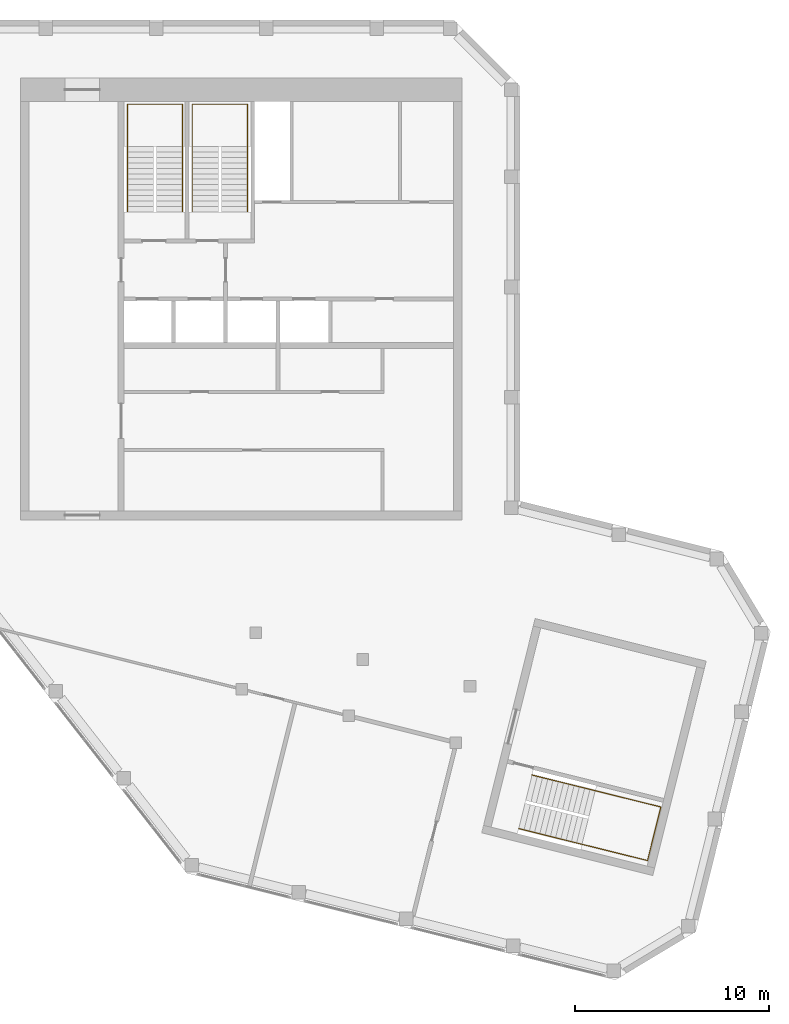
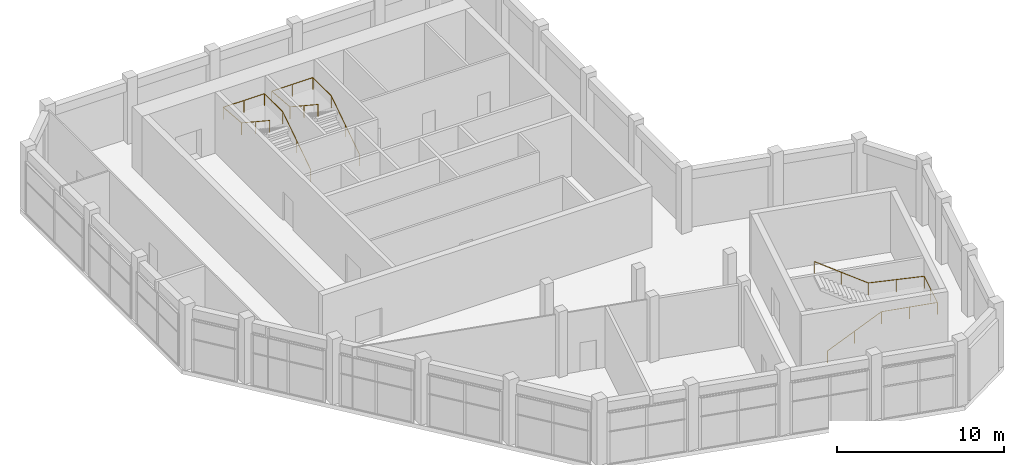
# One storey, part 10 of 10: 3 railings.
"""IFC4 building model written with IfcOpenShell, lengths in metres."""

from ifc_helpers import new_model, si_unit, direction, frame, origin, origin_2d, place, context, subcontext, project, spatial, circle, extrude, material, type_object, element, save


model = new_model("IFC4")

# Units and contexts
model_context = context("Model", 3, precision=1e-05, world=origin(), true_north=direction((0.0, 1.0)))
body_context = subcontext(model_context, "Body", "Model", "MODEL_VIEW")
ifc_project = project(units=[si_unit("LENGTHUNIT", "METRE"), si_unit("AREAUNIT", "SQUARE_METRE"), si_unit("VOLUMEUNIT", "CUBIC_METRE"), si_unit("PLANEANGLEUNIT", "RADIAN"), si_unit("MASSUNIT", "GRAM", prefix="KILO")], contexts=[model_context])

# Site, building, storey
site_placement = place(None, origin())
site = spatial("IfcSite", under=ifc_project, at=site_placement, CompositionType="ELEMENT")
building_placement = place(site_placement, origin())
building = spatial("IfcBuilding", under=site, at=building_placement, Name="Meshkara Civic Tower", CompositionType="ELEMENT")
storey_placement = place(building_placement, frame((0.0, 0.0, 424.199951171875)))
storey = spatial("IfcBuildingStorey", under=building, at=storey_placement, Name="L97 Crown", CompositionType="ELEMENT", Elevation=424.199951171875)

# Railings
ifc_material = material(Name="Steel handrail", Category="steel")
railing_type = type_object("IfcRailingType", Name="Stair handrail 900", PredefinedType="HANDRAIL", material=ifc_material)
railing_1_placement = place(storey_placement, frame((16.375, 30.0, 0.1845703125)))
element("IfcRailing", 1, at=railing_1_placement, inside=storey, type_object=railing_type, Name="L97 Crown ST1 stair handrail 1", PredefinedType="HANDRAIL", context=body_context, shape_type="SweptSolid", body=[
    extrude(circle(Radius=0.02392578125, at=origin_2d()), frame((0.0, 0.0, 0.8759765625), z_axis=(0.0, 0.834848600103, 0.550479622607), x_axis=(-1.0, 0.0, 0.0)), (0.0, 0.0, 1.0), 4.02490234375),
    extrude(circle(Radius=0.02392578125, at=origin_2d()), frame((0.0, 3.360107421875, 3.09130859375), z_axis=(0.0, 1.0, 0.0), x_axis=(-1.0, 0.0, 0.0)), (0.0, 0.0, 1.0), 2.18994140625),
    extrude(circle(Radius=0.02392578125, at=origin_2d()), frame((0.0, 5.550048828125, 3.09130859375), z_axis=(-1.0, 0.0, 0.0), x_axis=(0.0, -1.0, 0.0)), (0.0, 0.0, 1.0), 2.85009765625),
    extrude(circle(Radius=0.02392578125, at=origin_2d()), frame((-2.85009765625, 5.550048828125, 3.09130859375), z_axis=(0.0, -0.996467171765, 0.083983186383), x_axis=(1.0, 0.0, 0.0)), (0.0, 0.0, 1.0), 2.19775390625),
    extrude(circle(Radius=0.02392578125, at=origin_2d()), frame((-2.85009765625, 3.360107421875, 3.27587890625), z_axis=(0.0, -0.834876476806, 0.550437342915), x_axis=(1.0, 0.0, 0.0)), (0.0, 0.0, 1.0), 4.024658203125),
    extrude(circle(Radius=0.02099609375, at=origin_2d()), origin(), (0.0, 0.0, 1.0), 0.851806640625),
    extrude(circle(Radius=0.02099609375, at=origin_2d()), frame((0.0, 1.68017578125, 1.10791015625)), (0.0, 0.0, 1.0), 0.851806640625),
    extrude(circle(Radius=0.02099609375, at=origin_2d()), frame((0.0, 3.360107421875, 2.215576171875)), (0.0, 0.0, 1.0), 0.851806640625),
    extrude(circle(Radius=0.02099609375, at=origin_2d()), frame((0.0, 5.550048828125, 2.215576171875)), (0.0, 0.0, 1.0), 0.851806640625),
    extrude(circle(Radius=0.02099609375, at=origin_2d()), frame((-1.425048828125, 5.550048828125, 2.215576171875)), (0.0, 0.0, 1.0), 0.851806640625),
    extrude(circle(Radius=0.02099609375, at=origin_2d()), frame((-2.85009765625, 5.550048828125, 2.215576171875)), (0.0, 0.0, 1.0), 0.851806640625),
    extrude(circle(Radius=0.02099609375, at=origin_2d()), frame((-2.85009765625, 3.360107421875, 2.400146484375)), (0.0, 0.0, 1.0), 0.851806640625),
    extrude(circle(Radius=0.02099609375, at=origin_2d()), frame((-2.85009765625, 1.68017578125, 3.5078125)), (0.0, 0.0, 1.0), 0.851806640625),
    extrude(circle(Radius=0.02099609375, at=origin_2d()), frame((-2.85009765625, 0.0, 4.615478515625)), (0.0, 0.0, 1.0), 0.851806640625),
])
railing_2_placement = place(storey_placement, frame((19.72509765625, 30.0, 0.1845703125)))
element("IfcRailing", 2, at=railing_2_placement, inside=storey, type_object=railing_type, Name="L97 Crown ST2 stair handrail 1", PredefinedType="HANDRAIL", context=body_context, shape_type="SweptSolid", body=[
    extrude(circle(Radius=0.02392578125, at=origin_2d()), frame((0.0, 0.0, 0.8759765625), z_axis=(0.0, 0.834848600103, 0.550479622607), x_axis=(-1.0, 0.0, 0.0)), (0.0, 0.0, 1.0), 4.02490234375),
    extrude(circle(Radius=0.02392578125, at=origin_2d()), frame((0.0, 3.360107421875, 3.09130859375), z_axis=(0.0, 1.0, 0.0), x_axis=(-1.0, 0.0, 0.0)), (0.0, 0.0, 1.0), 2.18994140625),
    extrude(circle(Radius=0.02392578125, at=origin_2d()), frame((0.0, 5.550048828125, 3.09130859375), z_axis=(-1.0, 0.0, 0.0), x_axis=(0.0, -1.0, 0.0)), (0.0, 0.0, 1.0), 2.85009765625),
    extrude(circle(Radius=0.02392578125, at=origin_2d()), frame((-2.85009765625, 5.550048828125, 3.09130859375), z_axis=(0.0, -0.996467171765, 0.083983186383), x_axis=(1.0, 0.0, 0.0)), (0.0, 0.0, 1.0), 2.19775390625),
    extrude(circle(Radius=0.02392578125, at=origin_2d()), frame((-2.85009765625, 3.360107421875, 3.27587890625), z_axis=(0.0, -0.834876476806, 0.550437342915), x_axis=(1.0, 0.0, 0.0)), (0.0, 0.0, 1.0), 4.024658203125),
    extrude(circle(Radius=0.02099609375, at=origin_2d()), origin(), (0.0, 0.0, 1.0), 0.851806640625),
    extrude(circle(Radius=0.02099609375, at=origin_2d()), frame((0.0, 1.68017578125, 1.10791015625)), (0.0, 0.0, 1.0), 0.851806640625),
    extrude(circle(Radius=0.02099609375, at=origin_2d()), frame((0.0, 3.360107421875, 2.215576171875)), (0.0, 0.0, 1.0), 0.851806640625),
    extrude(circle(Radius=0.02099609375, at=origin_2d()), frame((0.0, 5.550048828125, 2.215576171875)), (0.0, 0.0, 1.0), 0.851806640625),
    extrude(circle(Radius=0.02099609375, at=origin_2d()), frame((-1.425048828125, 5.550048828125, 2.215576171875)), (0.0, 0.0, 1.0), 0.851806640625),
    extrude(circle(Radius=0.02099609375, at=origin_2d()), frame((-2.85009765625, 5.550048828125, 2.215576171875)), (0.0, 0.0, 1.0), 0.851806640625),
    extrude(circle(Radius=0.02099609375, at=origin_2d()), frame((-2.85009765625, 3.360107421875, 2.400146484375)), (0.0, 0.0, 1.0), 0.851806640625),
    extrude(circle(Radius=0.02099609375, at=origin_2d()), frame((-2.85009765625, 1.68017578125, 3.5078125)), (0.0, 0.0, 1.0), 0.851806640625),
    extrude(circle(Radius=0.02099609375, at=origin_2d()), frame((-2.85009765625, 0.0, 4.615478515625)), (0.0, 0.0, 1.0), 0.851806640625),
])
railing_3_placement = place(storey_placement, frame((33.728515625, -1.83837890625, 0.1845703125)))
element("IfcRailing", 3, at=railing_3_placement, inside=storey, type_object=railing_type, Name="L97 Crown ESB9 stair handrail 1", PredefinedType="HANDRAIL", context=body_context, shape_type="SweptSolid", body=[
    extrude(circle(Radius=0.02392578125, at=origin_2d()), frame((0.0, 0.0, 0.8759765625), z_axis=(0.810253124471, -0.201092244338, 0.550501392871), x_axis=(0.240876851384, 0.970555687463, 0.0)), (0.0, 0.0, 1.0), 4.024658203125),
    extrude(circle(Radius=0.02392578125, at=origin_2d()), frame((3.260986328125, -0.809326171875, 3.09130859375), z_axis=(0.970560779577, -0.240856333003, 0.0), x_axis=(0.240856333003, 0.970560779577, 0.0)), (0.0, 0.0, 1.0), 3.489990234375),
    extrude(circle(Radius=0.02392578125, at=origin_2d()), frame((6.648193359375, -1.64990234375, 3.09130859375), z_axis=(0.240902522416, 0.970549315951, 0.0), x_axis=(-0.970549315951, 0.240902522416, 0.0)), (0.0, 0.0, 1.0), 2.849853515625),
    extrude(circle(Radius=0.02392578125, at=origin_2d()), frame((7.334716796875, 1.115966796875, 3.09130859375), z_axis=(-0.969190025396, 0.240586020431, 0.052811565461), x_axis=(-0.240922228471, -0.970544424449, 0.0)), (0.0, 0.0, 1.0), 3.494873046875),
    extrude(circle(Radius=0.02392578125, at=origin_2d()), frame((3.947509765625, 1.956787109375, 3.27587890625), z_axis=(-0.810280182038, 0.201098959606, 0.550459112961), x_axis=(-0.240876851384, -0.970555687463, 0.0)), (0.0, 0.0, 1.0), 4.0244140625),
    extrude(circle(Radius=0.02099609375, at=origin_2d()), origin(), (0.0, 0.0, 1.0), 0.851806640625),
    extrude(circle(Radius=0.02099609375, at=origin_2d()), frame((1.63037109375, -0.40478515625, 1.10791015625)), (0.0, 0.0, 1.0), 0.851806640625),
    extrude(circle(Radius=0.02099609375, at=origin_2d()), frame((3.260986328125, -0.809326171875, 2.215576171875)), (0.0, 0.0, 1.0), 0.851806640625),
    extrude(circle(Radius=0.02099609375, at=origin_2d()), frame((4.95458984375, -1.2294921875, 2.215576171875)), (0.0, 0.0, 1.0), 0.851806640625),
    extrude(circle(Radius=0.02099609375, at=origin_2d()), frame((6.648193359375, -1.64990234375, 2.215576171875)), (0.0, 0.0, 1.0), 0.851806640625),
    extrude(circle(Radius=0.02099609375, at=origin_2d()), frame((6.991455078125, -0.26708984375, 2.215576171875)), (0.0, 0.0, 1.0), 0.851806640625),
    extrude(circle(Radius=0.02099609375, at=origin_2d()), frame((7.334716796875, 1.115966796875, 2.215576171875)), (0.0, 0.0, 1.0), 0.851806640625),
    extrude(circle(Radius=0.02099609375, at=origin_2d()), frame((5.64111328125, 1.536376953125, 2.307861328125)), (0.0, 0.0, 1.0), 0.851806640625),
    extrude(circle(Radius=0.02099609375, at=origin_2d()), frame((3.947509765625, 1.956787109375, 2.400146484375)), (0.0, 0.0, 1.0), 0.851806640625),
    extrude(circle(Radius=0.02099609375, at=origin_2d()), frame((2.31689453125, 2.361328125, 3.5078125)), (0.0, 0.0, 1.0), 0.851806640625),
    extrude(circle(Radius=0.02099609375, at=origin_2d()), frame((0.6865234375, 2.76611328125, 4.615478515625)), (0.0, 0.0, 1.0), 0.851806640625),
])

save(model, "model.ifc")
